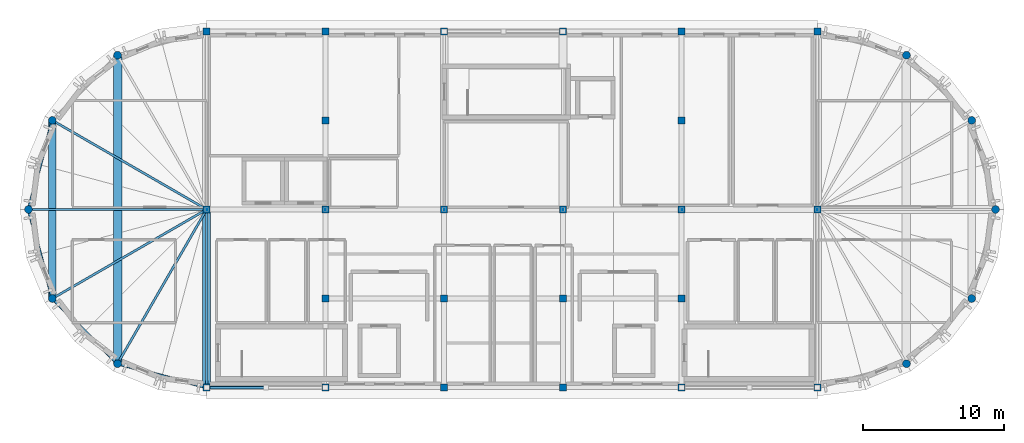
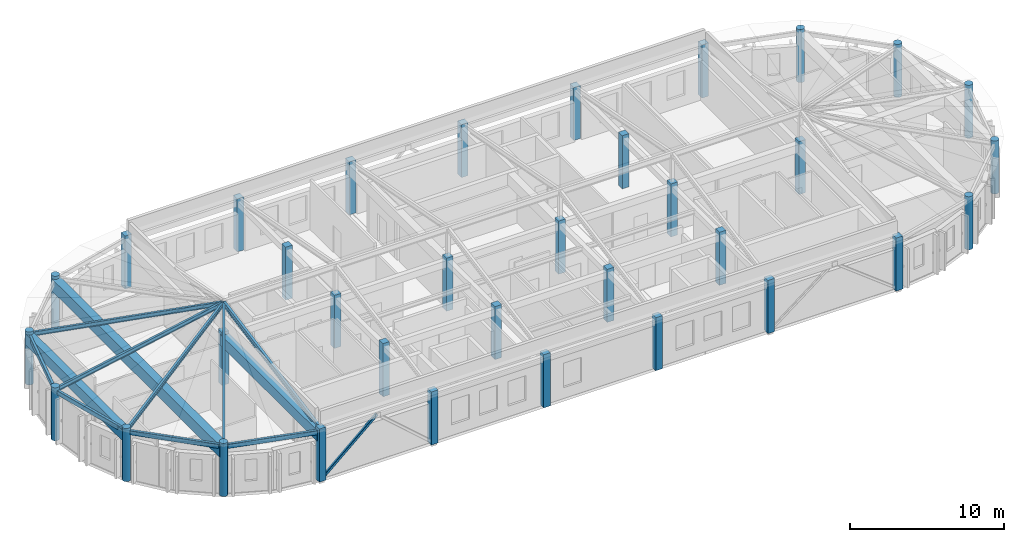
# One storey, part 1 of 11: 34 columns, 12 beams, 1 member.
"""IFC4 building model written with IfcOpenShell, lengths in metres."""

from ifc_helpers import new_model, si_unit, direction, frame, origin, origin_2d, place, context, subcontext, project, spatial, rectangle, hollow_rectangle, circle, i_section, extrude, material, material_profile, profile_set, type_object, element, save


model = new_model("IFC4")

# Units and contexts
model_context = context("Model", 3, precision=1e-05, world=origin(), true_north=direction((0.0, 1.0)))
body_context = subcontext(model_context, "Body", "Model", "MODEL_VIEW")
ifc_project = project(units=[si_unit("LENGTHUNIT", "METRE"), si_unit("AREAUNIT", "SQUARE_METRE"), si_unit("VOLUMEUNIT", "CUBIC_METRE"), si_unit("PLANEANGLEUNIT", "RADIAN"), si_unit("MASSUNIT", "GRAM", prefix="KILO")], contexts=[model_context])

# Site, building, storey
site_placement = place(None, origin())
site = spatial("IfcSite", under=ifc_project, at=site_placement, CompositionType="ELEMENT")
building_placement = place(site_placement, origin())
building = spatial("IfcBuilding", under=site, at=building_placement, Name="Tarnavel Promenade Courthouse", CompositionType="ELEMENT")
storey_placement = place(building_placement, frame((0.0, 0.0, 35.39990234375)))
storey = spatial("IfcBuildingStorey", under=building, at=storey_placement, Name="L09", CompositionType="ELEMENT", Elevation=35.39990234375)

# Columns
ifc_material_1 = material(Name="Concrete C40/50", Category="concrete")
ifc_material_profile_1 = material_profile(ifc_material_1, circle(Radius=0.27490234375, at=origin_2d()), Name="RCC D550")
ifc_profile_set_1 = profile_set([ifc_material_profile_1], Name="Concrete C40/50")
column_type_1 = type_object("IfcColumnType", Name="Concrete C40/50 COL-DRUM-D550 (RCC D550)", PredefinedType="COLUMN", material=ifc_profile_set_1)
for number, where, z_axis, x_axis, name in (
    (1, (52.5, 102.7119140625, 0.0), (0.0, 0.0, 1.0), (1.0, 0.0, 0.0), "L09 Structural Column 0238"),
    (2, (108.300048828125, 80.88818359375, 0.0), (0.0, 0.0, 1.0), (1.0, 0.0, 0.0), "L09 Structural Column 0248"),
    (3, (47.88818359375, 98.10009765625, 0.0), (0.0, 0.0, 1.0), (1.0, 0.0, 0.0), "L09 Structural Column 0258"),
    (4, (112.911865234375, 85.5, 0.0), (0.0, 0.0, 1.0), (1.0, 0.0, 0.0), "L09 Structural Column 0268"),
    (5, (46.199951171875, 91.800048828125, 0.0), (0.0, 0.0, 1.0), (1.0, 0.0, 0.0), "L09 Structural Column 0278"),
    (6, (114.60009765625, 91.800048828125, 0.0), (0.0, 0.0, 1.0), (1.0, 0.0, 0.0), "L09 Structural Column 0288"),
    (7, (47.88818359375, 85.5, 0.0), (0.0, 0.0, 1.0), (1.0, 0.0, 0.0), "L09 Structural Column 0298"),
    (8, (112.911865234375, 98.10009765625, 0.0), (0.0, 0.0, 1.0), (1.0, 0.0, 0.0), "L09 Structural Column 0308"),
    (9, (52.5, 80.88818359375, 0.0), (0.0, 0.0, 1.0), (1.0, 0.0, 0.0), "L09 Structural Column 0318"),
    (10, (108.300048828125, 102.7119140625, 0.0), (0.0, 0.0, 1.0), (1.0, 0.0, 0.0), "L09 Structural Column 0328"),
):
    element("IfcColumn", number, at=place(storey_placement, frame(where, z_axis=z_axis, x_axis=x_axis)), inside=storey, type_object=column_type_1, Name=name, PredefinedType="COLUMN", context=body_context, shape_type="SweptSolid", body=[
        extrude(circle(Radius=0.27490234375, at=origin_2d()), origin(), (0.0, 0.0, 1.0), 4.2001953125),
    ])
ifc_material_profile_2 = material_profile(ifc_material_1, rectangle(XDim=0.5, YDim=0.5, at=origin_2d()), Name="RC 500x500")
ifc_profile_set_2 = profile_set([ifc_material_profile_2], Name="Concrete C40/50")
column_type_2 = type_object("IfcColumnType", Name="Concrete C40/50 COL-RC500-TOP (RC 500x500)", PredefinedType="COLUMN", material=ifc_profile_set_2)
for number, where, z_axis, x_axis, name in (
    (11, (58.800048828125, 79.199951171875, 0.0), (0.0, 0.0, 1.0), (1.0, 0.0, 0.0), "L09 Structural Column 0010"),
    (12, (58.800048828125, 91.800048828125, 0.0), (0.0, 0.0, 1.0), (1.0, 0.0, 0.0), "L09 Structural Column 0020"),
    (13, (58.800048828125, 104.39990234375, 0.0), (0.0, 0.0, 1.0), (1.0, 0.0, 0.0), "L09 Structural Column 0030"),
    (14, (67.199951171875, 79.199951171875, 0.0), (0.0, 0.0, 1.0), (1.0, 0.0, 0.0), "L09 Structural Column 0044"),
    (15, (67.199951171875, 91.800048828125, 0.0), (0.0, 0.0, 1.0), (1.0, 0.0, 0.0), "L09 Structural Column 0054"),
    (16, (67.199951171875, 104.39990234375, 0.0), (0.0, 0.0, 1.0), (1.0, 0.0, 0.0), "L09 Structural Column 0064"),
    (17, (67.199951171875, 85.5, 0.0), (0.0, 0.0, 1.0), (1.0, 0.0, 0.0), "L09 Structural Column 0068"),
    (18, (67.199951171875, 98.10009765625, 0.0), (0.0, 0.0, 1.0), (1.0, 0.0, 0.0), "L09 Structural Column 0072"),
    (19, (75.60009765625, 79.199951171875, 0.0), (0.0, 0.0, 1.0), (1.0, 0.0, 0.0), "L09 Structural Column 0086"),
    (20, (75.60009765625, 91.800048828125, 0.0), (0.0, 0.0, 1.0), (1.0, 0.0, 0.0), "L09 Structural Column 0096"),
    (21, (75.60009765625, 104.39990234375, 0.0), (0.0, 0.0, 1.0), (1.0, 0.0, 0.0), "L09 Structural Column 0106"),
    (22, (75.60009765625, 85.5, 0.0), (0.0, 0.0, 1.0), (1.0, 0.0, 0.0), "L09 Structural Column 0110"),
    (23, (84.0, 79.199951171875, 0.0), (0.0, 0.0, 1.0), (1.0, 0.0, 0.0), "L09 Structural Column 0124"),
    (24, (84.0, 91.800048828125, 0.0), (0.0, 0.0, 1.0), (1.0, 0.0, 0.0), "L09 Structural Column 0134"),
    (25, (84.0, 104.39990234375, 0.0), (0.0, 0.0, 1.0), (1.0, 0.0, 0.0), "L09 Structural Column 0144"),
    (26, (84.0, 85.5, 0.0), (0.0, 0.0, 1.0), (1.0, 0.0, 0.0), "L09 Structural Column 0148"),
    (27, (92.39990234375, 79.199951171875, 0.0), (0.0, 0.0, 1.0), (1.0, 0.0, 0.0), "L09 Structural Column 0162"),
    (28, (92.39990234375, 91.800048828125, 0.0), (0.0, 0.0, 1.0), (1.0, 0.0, 0.0), "L09 Structural Column 0172"),
    (29, (92.39990234375, 104.39990234375, 0.0), (0.0, 0.0, 1.0), (1.0, 0.0, 0.0), "L09 Structural Column 0182"),
    (30, (92.39990234375, 85.5, 0.0), (0.0, 0.0, 1.0), (1.0, 0.0, 0.0), "L09 Structural Column 0186"),
    (31, (92.39990234375, 98.10009765625, 0.0), (0.0, 0.0, 1.0), (1.0, 0.0, 0.0), "L09 Structural Column 0190"),
    (32, (102.0, 79.199951171875, 0.0), (0.0, 0.0, 1.0), (1.0, 0.0, 0.0), "L09 Structural Column 0204"),
    (33, (102.0, 91.800048828125, 0.0), (0.0, 0.0, 1.0), (1.0, 0.0, 0.0), "L09 Structural Column 0214"),
    (34, (102.0, 104.39990234375, 0.0), (0.0, 0.0, 1.0), (1.0, 0.0, 0.0), "L09 Structural Column 0224"),
):
    element("IfcColumn", number, at=place(storey_placement, frame(where, z_axis=z_axis, x_axis=x_axis)), inside=storey, type_object=column_type_2, Name=name, PredefinedType="COLUMN", context=body_context, shape_type="SweptSolid", body=[
        extrude(rectangle(XDim=0.5, YDim=0.5, at=origin_2d()), origin(), (0.0, 0.0, 1.0), 4.2001953125),
    ])

# Beams
ifc_material_profile_3 = material_profile(ifc_material_1, rectangle(XDim=0.550048828125, YDim=0.85009765625, at=origin_2d()), Name="PT 550x850")
ifc_profile_set_3 = profile_set([ifc_material_profile_3], Name="Concrete C40/50")
beam_type_1 = type_object("IfcBeamType", Name="Concrete C40/50 BM-PT-550x850 (PT 550x850)", PredefinedType="T_BEAM", material=ifc_profile_set_3)
for number, where, z_axis, x_axis, name in (
    (35, (47.88818359375, 85.5, 3.53515625), (0.0, 1.0, 0.0), (-1.0, 0.0, 0.0), "L09 Transverse Girder 2656"),
    (36, (58.800048828125, 79.199951171875, 3.53515625), (0.0, 1.0, 0.0), (-1.0, 0.0, 0.0), "L09 Transverse Girder 2658"),
):
    element("IfcBeam", number, at=place(storey_placement, frame(where, z_axis=z_axis, x_axis=x_axis)), inside=storey, type_object=beam_type_1, Name=name, PredefinedType="T_BEAM", context=body_context, shape_type="SweptSolid", body=[
        extrude(rectangle(XDim=0.550048828125, YDim=0.85009765625, at=origin_2d()), origin(), (0.0, 0.0, 1.0), 12.60009765625),
    ])
ifc_material_profile_4 = material_profile(ifc_material_1, rectangle(XDim=0.60009765625, YDim=0.949951171875, at=origin_2d()), Name="PT 600x950")
ifc_profile_set_4 = profile_set([ifc_material_profile_4], Name="Concrete C40/50")
beam_type_2 = type_object("IfcBeamType", Name="Concrete C40/50 BM-PT-600x950 (PT 600x950)", PredefinedType="T_BEAM", material=ifc_profile_set_4)
beam_1_placement = place(storey_placement, frame((52.5, 80.88818359375, 3.485107421875), z_axis=(0.0, 1.0, 0.0), x_axis=(-1.0, 0.0, 0.0)))
element("IfcBeam", 37, at=beam_1_placement, inside=storey, type_object=beam_type_2, Name="L09 Transverse Girder 2657", PredefinedType="T_BEAM", context=body_context, shape_type="SweptSolid", body=[
    extrude(rectangle(XDim=0.60009765625, YDim=0.949951171875, at=origin_2d()), origin(), (0.0, 0.0, 1.0), 21.82373046875),
])
ifc_material_2 = material(Name="Steel S355J2", Category="steel")
ifc_material_profile_5 = material_profile(ifc_material_2, i_section(OverallWidth=0.159912109375, OverallDepth=0.330078125, WebThickness=0.007568359375, FlangeThickness=0.011474609375, FilletRadius=0.01806640625, at=origin_2d()), Name="IPE 330")
ifc_profile_set_5 = profile_set([ifc_material_profile_5], Name="Steel S355J2")
beam_type_3 = type_object("IfcBeamType", Name="Steel S355J2 BM-ST-IPE330 (IPE 330)", PredefinedType="JOIST", material=ifc_profile_set_5)
for number, where, z_axis, x_axis, name in (
    (38, (47.88818359375, 98.10009765625, 3.85009765625), (0.849847727594, -0.490666083691, 0.192368485514), (0.500004791531, 0.866022637375, 0.0), "L09 W Drum Radial Roof Rafter 05"),
    (39, (46.199951171875, 91.800048828125, 3.85009765625), (0.981323111304, 0.0, 0.192366710271), (0.0, 1.0, 0.0), "L09 W Drum Radial Roof Rafter 07"),
    (40, (47.88818359375, 85.5, 3.85009765625), (0.849847727594, 0.490666083691, 0.192368485514), (-0.500004791531, 0.866022637375, 0.0), "L09 W Drum Radial Roof Rafter 09"),
    (41, (52.5, 80.88818359375, 3.85009765625), (0.490666083691, 0.849847727594, 0.192368485514), (-0.866022637375, 0.500004791531, 0.0), "L09 W Drum Radial Roof Rafter 11"),
):
    element("IfcBeam", number, at=place(storey_placement, frame(where, z_axis=z_axis, x_axis=x_axis)), inside=storey, type_object=beam_type_3, Name=name, PredefinedType="JOIST", context=body_context, shape_type="SweptSolid", body=[
        extrude(i_section(OverallWidth=0.159912109375, OverallDepth=0.330078125, WebThickness=0.007568359375, FlangeThickness=0.011474609375, FilletRadius=0.01806640625, at=origin_2d()), origin(), (0.0, 0.0, 1.0), 12.83984375),
    ])
ifc_material_profile_6 = material_profile(ifc_material_2, i_section(OverallWidth=0.179931640625, OverallDepth=0.39990234375, WebThickness=0.008544921875, FlangeThickness=0.013427734375, FilletRadius=0.02099609375, at=origin_2d()), Name="IPE 400")
ifc_profile_set_6 = profile_set([ifc_material_profile_6], Name="Steel S355J2")
beam_type_4 = type_object("IfcBeamType", Name="Steel S355J2 BM-ST-IPE400 (IPE 400)", PredefinedType="BEAM", material=ifc_profile_set_6)
beam_2_placement = place(storey_placement, frame((58.800048828125, 79.199951171875, 3.9501953125), z_axis=(0.0, 0.982512246655, 0.186197973063), x_axis=(-1.0, 0.0, 0.0)))
element("IfcBeam", 42, at=beam_2_placement, inside=storey, type_object=beam_type_4, Name="L09 Bar Roof Rafter S", PredefinedType="BEAM", context=body_context, shape_type="SweptSolid", body=[
    extrude(i_section(OverallWidth=0.179931640625, OverallDepth=0.39990234375, WebThickness=0.008544921875, FlangeThickness=0.013427734375, FilletRadius=0.02099609375, at=origin_2d()), origin(), (0.0, 0.0, 1.0), 12.727783203125),
])
ifc_material_profile_7 = material_profile(ifc_material_2, hollow_rectangle(XDim=0.199951171875, YDim=0.35009765625, WallThickness=0.012451171875, InnerFilletRadius=0.012451171875, OuterFilletRadius=0.02490234375, at=origin_2d()), Name="RHS 350x200x12.5")
ifc_profile_set_7 = profile_set([ifc_material_profile_7], Name="Steel S355J2")
beam_type_5 = type_object("IfcBeamType", Name="Steel S355J2 BM-ST-RHS350 (RHS 350x200x12.5)", PredefinedType="SPANDREL", material=ifc_profile_set_7)
for number, where, z_axis, x_axis, name in (
    (43, (47.88818359375, 98.10009765625, 3.78515625), (-0.258838989821, -0.965920481897, 0.0), (0.965920481897, -0.258838989821, 0.0), "L09 Drum Ring Spandrel 2685"),
    (44, (46.199951171875, 91.800048828125, 3.78515625), (0.258838989821, -0.965920481897, 0.0), (0.965920481897, 0.258838989821, 0.0), "L09 Drum Ring Spandrel 2686"),
):
    element("IfcBeam", number, at=place(storey_placement, frame(where, z_axis=z_axis, x_axis=x_axis)), inside=storey, type_object=beam_type_5, Name=name, PredefinedType="SPANDREL", context=body_context, shape_type="SweptSolid", body=[
        extrude(hollow_rectangle(XDim=0.199951171875, YDim=0.35009765625, WallThickness=0.012451171875, InnerFilletRadius=0.012451171875, OuterFilletRadius=0.02490234375, at=origin_2d()), origin(), (0.0, 0.0, 1.0), 6.522216796875),
    ])
beam_3_placement = place(storey_placement, frame((47.88818359375, 85.5, 3.78515625), z_axis=(0.707106781187, -0.707106781187, 0.0), x_axis=(0.707106781187, 0.707106781187, 0.0)))
element("IfcBeam", 45, at=beam_3_placement, inside=storey, type_object=beam_type_5, Name="L09 Drum Ring Spandrel 2687", PredefinedType="SPANDREL", context=body_context, shape_type="SweptSolid", body=[
    extrude(hollow_rectangle(XDim=0.199951171875, YDim=0.35009765625, WallThickness=0.012451171875, InnerFilletRadius=0.012451171875, OuterFilletRadius=0.02490234375, at=origin_2d()), origin(), (0.0, 0.0, 1.0), 6.52197265625),
])
beam_4_placement = place(storey_placement, frame((52.5, 80.88818359375, 3.78515625), z_axis=(0.965920481897, -0.258838989821, 0.0), x_axis=(0.258838989821, 0.965920481897, 0.0)))
element("IfcBeam", 46, at=beam_4_placement, inside=storey, type_object=beam_type_5, Name="L09 Drum Ring Spandrel 2688", PredefinedType="SPANDREL", context=body_context, shape_type="SweptSolid", body=[
    extrude(hollow_rectangle(XDim=0.199951171875, YDim=0.35009765625, WallThickness=0.012451171875, InnerFilletRadius=0.012451171875, OuterFilletRadius=0.02490234375, at=origin_2d()), origin(), (0.0, 0.0, 1.0), 6.522216796875),
])

# Member
ifc_material_profile_8 = material_profile(ifc_material_2, hollow_rectangle(XDim=0.199951171875, YDim=0.199951171875, WallThickness=0.012451171875, InnerFilletRadius=0.012451171875, OuterFilletRadius=0.02490234375, at=origin_2d()), Name="SHS 200x200x12.5")
ifc_profile_set_8 = profile_set([ifc_material_profile_8], Name="Steel S355J2")
member_type = type_object("IfcMemberType", Name="Steel S355J2 MEM-BR-SHS200 (SHS 200x200x12.5)", PredefinedType="BRACE", material=ifc_profile_set_8)
member_placement = place(storey_placement, frame((58.800048828125, 79.199951171875, 0.0), z_axis=(0.749451235067, 0.0, 0.662059548876), x_axis=(0.0, 1.0, 0.0)))
element("IfcMember", 47, at=member_placement, inside=storey, type_object=member_type, Name="L09 V5 Chevron Brace A 010", PredefinedType="BRACE", context=body_context, shape_type="SweptSolid", body=[
    extrude(hollow_rectangle(XDim=0.199951171875, YDim=0.199951171875, WallThickness=0.012451171875, InnerFilletRadius=0.012451171875, OuterFilletRadius=0.02490234375, at=origin_2d()), origin(), (0.0, 0.0, 1.0), 5.60400390625),
])

save(model, "model.ifc")
